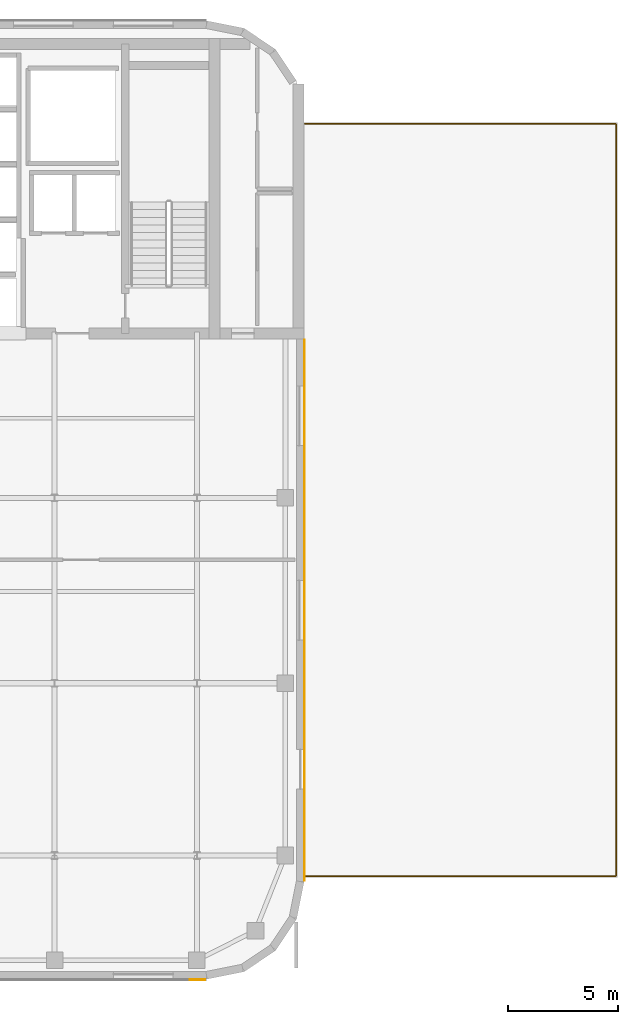
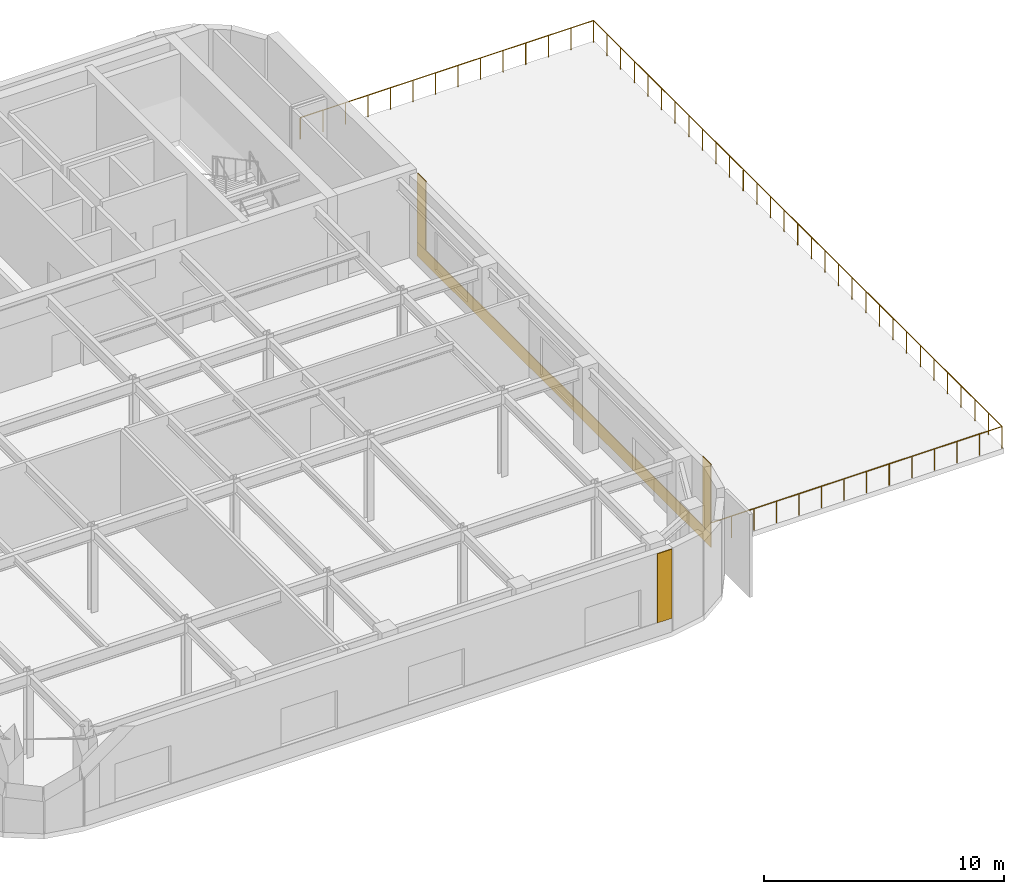
# One storey, part 9 of 10: 4 coverings, 1 railing.
"""IFC4 building model written with IfcOpenShell, lengths in metres."""

from ifc_helpers import new_model, si_unit, direction, frame, origin, origin_2d, place, context, subcontext, project, spatial, polyline, circle, outline, extrude, material, layer, layer_set, type_object, element, save


model = new_model("IFC4")

# Units and contexts
model_context = context("Model", 3, precision=1e-05, world=origin(), true_north=direction((0.0, 1.0)))
body_context = subcontext(model_context, "Body", "Model", "MODEL_VIEW")
ifc_project = project(units=[si_unit("LENGTHUNIT", "METRE"), si_unit("AREAUNIT", "SQUARE_METRE"), si_unit("VOLUMEUNIT", "CUBIC_METRE"), si_unit("PLANEANGLEUNIT", "RADIAN"), si_unit("MASSUNIT", "GRAM", prefix="KILO")], contexts=[model_context])

# Site, building, storey
site_placement = place(None, origin())
site = spatial("IfcSite", under=ifc_project, at=site_placement, CompositionType="ELEMENT")
building_placement = place(site_placement, origin())
building = spatial("IfcBuilding", under=site, at=building_placement, Name="Tolvann Quenvar Hotel", CompositionType="ELEMENT")
storey_placement = place(building_placement, frame((0.0, 0.0, 205.300048828125)))
storey = spatial("IfcBuildingStorey", under=building, at=storey_placement, Name="L54", CompositionType="ELEMENT", Elevation=205.300048828125)

# Coverings
ifc_material_1 = material(Name="Kiln-fired red architectural face brick cladding", Category="masonry")
ifc_layer_1 = layer(ifc_material_1, 0.0400390625)
ifc_layer_set_1 = layer_set([ifc_layer_1], Name="Kiln-fired red architectural face brick cladding")
covering_type_1 = type_object("IfcCoveringType", Name="COV_CLAD_BRICK_40", PredefinedType="CLADDING", material=ifc_layer_set_1)
covering_1_placement = place(storey_placement, frame((0.0, 0.0, 0.699951171875)))
element("IfcCovering", 1, at=covering_1_placement, inside=storey, type_object=covering_type_1, Name="Brick Pier Cladding (L54-E04-P2)", PredefinedType="CLADDING", context=body_context, shape_type="SweptSolid", body=[
    extrude(outline(polyline([(34.6328125, 2.60009765625), (35.332763671875, 2.60009765625), (35.332763671875, 2.56005859375), (34.6328125, 2.56005859375), (34.6328125, 2.60009765625)])), origin(), (0.0, 0.0, 1.0), 3.52001953125),
])
covering_2_placement = place(storey_placement, frame((0.0, 0.0, 0.699951171875)))
element("IfcCovering", 2, at=covering_2_placement, inside=storey, type_object=covering_type_1, Name="Brick Pier Cladding (L54-E09-P1)", PredefinedType="CLADDING", context=body_context, shape_type="SweptSolid", body=[
    extrude(outline(polyline([(39.800048828125, 7.067138671875), (39.800048828125, 7.76708984375), (39.840087890625, 7.76708984375), (39.840087890625, 7.067138671875), (39.800048828125, 7.067138671875)])), origin(), (0.0, 0.0, 1.0), 3.52001953125),
])
covering_3_placement = place(storey_placement, frame((0.0, 0.0, 0.699951171875)))
element("IfcCovering", 3, at=covering_3_placement, inside=storey, type_object=covering_type_1, Name="Brick Pier Cladding (L54-E09-P2)", PredefinedType="CLADDING", context=body_context, shape_type="SweptSolid", body=[
    extrude(outline(polyline([(39.800048828125, 30.845947265625), (39.800048828125, 31.5458984375), (39.840087890625, 31.5458984375), (39.840087890625, 30.845947265625), (39.800048828125, 30.845947265625)])), origin(), (0.0, 0.0, 1.0), 3.52001953125),
])
ifc_material_2 = material(Name="Moulded buff architectural terracotta spandrel cladding", Category="masonry")
ifc_layer_2 = layer(ifc_material_2, 0.0400390625)
ifc_layer_set_2 = layer_set([ifc_layer_2], Name="Moulded buff architectural terracotta spandrel cladding")
covering_type_2 = type_object("IfcCoveringType", Name="COV_CLAD_TERRA_40", PredefinedType="CLADDING", material=ifc_layer_set_2)
covering_4_placement = place(storey_placement, origin())
element("IfcCovering", 4, at=covering_4_placement, inside=storey, type_object=covering_type_2, Name="Terracotta Spandrel Cladding (L54-E09)", PredefinedType="CLADDING", context=body_context, shape_type="SweptSolid", body=[
    extrude(outline(polyline([(39.800048828125, 7.05712890625), (39.800048828125, 31.555908203125), (39.840087890625, 31.555908203125), (39.840087890625, 7.05712890625), (39.800048828125, 7.05712890625)])), origin(), (0.0, 0.0, 1.0), 0.699951171875),
])

# Railing
ifc_material_3 = material(Name="Brushed 316 marine-grade stainless steel balustrade and laminated safety glass", Category="steel")
railing_type = type_object("IfcRailingType", Name="RAIL_BAL_1100", PredefinedType="BALUSTRADE", material=ifc_material_3)
railing_placement = place(storey_placement, frame((39.820068359375, 7.260009765625, 0.0)))
element("IfcRailing", 5, at=railing_placement, inside=storey, type_object=railing_type, Name="Safety Balustrade BAL-TER-L54-SKY", PredefinedType="BALUSTRADE", context=body_context, shape_type="SweptSolid", body=[
    extrude(circle(Radius=0.02490234375, at=origin_2d()), frame((0.0, 0.0, 1.09521484375), z_axis=(1.0, 0.0, 0.0), x_axis=(0.0, 1.0, 0.0)), (0.0, 0.0, 1.0), 14.119873046875),
    extrude(circle(Radius=0.02490234375, at=origin_2d()), frame((14.119873046875, 0.0, 1.09521484375), z_axis=(0.0, 1.0, 0.0), x_axis=(-1.0, 0.0, 0.0)), (0.0, 0.0, 1.0), 34.080078125),
    extrude(circle(Radius=0.02490234375, at=origin_2d()), frame((14.119873046875, 34.080078125, 1.09521484375), z_axis=(-1.0, 0.0, 0.0), x_axis=(0.0, -1.0, 0.0)), (0.0, 0.0, 1.0), 14.119873046875),
    extrude(circle(Radius=0.02197265625, at=origin_2d()), origin(), (0.0, 0.0, 1.0), 1.070068359375),
    extrude(circle(Radius=0.02197265625, at=origin_2d()), frame((1.086181640625, 0.0, 0.0)), (0.0, 0.0, 1.0), 1.070068359375),
    extrude(circle(Radius=0.02197265625, at=origin_2d()), frame((2.17236328125, 0.0, 0.0)), (0.0, 0.0, 1.0), 1.070068359375),
    extrude(circle(Radius=0.02197265625, at=origin_2d()), frame((3.258544921875, 0.0, 0.0)), (0.0, 0.0, 1.0), 1.070068359375),
    extrude(circle(Radius=0.02197265625, at=origin_2d()), frame((4.344482421875, 0.0, 0.0)), (0.0, 0.0, 1.0), 1.070068359375),
    extrude(circle(Radius=0.02197265625, at=origin_2d()), frame((5.4306640625, 0.0, 0.0)), (0.0, 0.0, 1.0), 1.070068359375),
    extrude(circle(Radius=0.02197265625, at=origin_2d()), frame((6.516845703125, 0.0, 0.0)), (0.0, 0.0, 1.0), 1.070068359375),
    extrude(circle(Radius=0.02197265625, at=origin_2d()), frame((7.60302734375, 0.0, 0.0)), (0.0, 0.0, 1.0), 1.070068359375),
    extrude(circle(Radius=0.02197265625, at=origin_2d()), frame((8.689208984375, 0.0, 0.0)), (0.0, 0.0, 1.0), 1.070068359375),
    extrude(circle(Radius=0.02197265625, at=origin_2d()), frame((9.775390625, 0.0, 0.0)), (0.0, 0.0, 1.0), 1.070068359375),
    extrude(circle(Radius=0.02197265625, at=origin_2d()), frame((10.861328125, 0.0, 0.0)), (0.0, 0.0, 1.0), 1.070068359375),
    extrude(circle(Radius=0.02197265625, at=origin_2d()), frame((11.947509765625, 0.0, 0.0)), (0.0, 0.0, 1.0), 1.070068359375),
    extrude(circle(Radius=0.02197265625, at=origin_2d()), frame((13.03369140625, 0.0, 0.0)), (0.0, 0.0, 1.0), 1.070068359375),
    extrude(circle(Radius=0.02197265625, at=origin_2d()), frame((14.119873046875, 0.0, 0.0)), (0.0, 0.0, 1.0), 1.070068359375),
    extrude(circle(Radius=0.02197265625, at=origin_2d()), frame((14.119873046875, 1.135986328125, 0.0)), (0.0, 0.0, 1.0), 1.070068359375),
    extrude(circle(Radius=0.02197265625, at=origin_2d()), frame((14.119873046875, 2.27197265625, 0.0)), (0.0, 0.0, 1.0), 1.070068359375),
    extrude(circle(Radius=0.02197265625, at=origin_2d()), frame((14.119873046875, 3.407958984375, 0.0)), (0.0, 0.0, 1.0), 1.070068359375),
    extrude(circle(Radius=0.02197265625, at=origin_2d()), frame((14.119873046875, 4.5439453125, 0.0)), (0.0, 0.0, 1.0), 1.070068359375),
    extrude(circle(Radius=0.02197265625, at=origin_2d()), frame((14.119873046875, 5.679931640625, 0.0)), (0.0, 0.0, 1.0), 1.070068359375),
    extrude(circle(Radius=0.02197265625, at=origin_2d()), frame((14.119873046875, 6.81591796875, 0.0)), (0.0, 0.0, 1.0), 1.070068359375),
    extrude(circle(Radius=0.02197265625, at=origin_2d()), frame((14.119873046875, 7.951904296875, 0.0)), (0.0, 0.0, 1.0), 1.070068359375),
    extrude(circle(Radius=0.02197265625, at=origin_2d()), frame((14.119873046875, 9.088134765625, 0.0)), (0.0, 0.0, 1.0), 1.070068359375),
    extrude(circle(Radius=0.02197265625, at=origin_2d()), frame((14.119873046875, 10.22412109375, 0.0)), (0.0, 0.0, 1.0), 1.070068359375),
    extrude(circle(Radius=0.02197265625, at=origin_2d()), frame((14.119873046875, 11.360107421875, 0.0)), (0.0, 0.0, 1.0), 1.070068359375),
    extrude(circle(Radius=0.02197265625, at=origin_2d()), frame((14.119873046875, 12.49609375, 0.0)), (0.0, 0.0, 1.0), 1.070068359375),
    extrude(circle(Radius=0.02197265625, at=origin_2d()), frame((14.119873046875, 13.632080078125, 0.0)), (0.0, 0.0, 1.0), 1.070068359375),
    extrude(circle(Radius=0.02197265625, at=origin_2d()), frame((14.119873046875, 14.76806640625, 0.0)), (0.0, 0.0, 1.0), 1.070068359375),
    extrude(circle(Radius=0.02197265625, at=origin_2d()), frame((14.119873046875, 15.904052734375, 0.0)), (0.0, 0.0, 1.0), 1.070068359375),
    extrude(circle(Radius=0.02197265625, at=origin_2d()), frame((14.119873046875, 17.0400390625, 0.0)), (0.0, 0.0, 1.0), 1.070068359375),
    extrude(circle(Radius=0.02197265625, at=origin_2d()), frame((14.119873046875, 18.176025390625, 0.0)), (0.0, 0.0, 1.0), 1.070068359375),
    extrude(circle(Radius=0.02197265625, at=origin_2d()), frame((14.119873046875, 19.31201171875, 0.0)), (0.0, 0.0, 1.0), 1.070068359375),
    extrude(circle(Radius=0.02197265625, at=origin_2d()), frame((14.119873046875, 20.447998046875, 0.0)), (0.0, 0.0, 1.0), 1.070068359375),
    extrude(circle(Radius=0.02197265625, at=origin_2d()), frame((14.119873046875, 21.583984375, 0.0)), (0.0, 0.0, 1.0), 1.070068359375),
    extrude(circle(Radius=0.02197265625, at=origin_2d()), frame((14.119873046875, 22.719970703125, 0.0)), (0.0, 0.0, 1.0), 1.070068359375),
    extrude(circle(Radius=0.02197265625, at=origin_2d()), frame((14.119873046875, 23.85595703125, 0.0)), (0.0, 0.0, 1.0), 1.070068359375),
    extrude(circle(Radius=0.02197265625, at=origin_2d()), frame((14.119873046875, 24.991943359375, 0.0)), (0.0, 0.0, 1.0), 1.070068359375),
    extrude(circle(Radius=0.02197265625, at=origin_2d()), frame((14.119873046875, 26.128173828125, 0.0)), (0.0, 0.0, 1.0), 1.070068359375),
    extrude(circle(Radius=0.02197265625, at=origin_2d()), frame((14.119873046875, 27.26416015625, 0.0)), (0.0, 0.0, 1.0), 1.070068359375),
    extrude(circle(Radius=0.02197265625, at=origin_2d()), frame((14.119873046875, 28.400146484375, 0.0)), (0.0, 0.0, 1.0), 1.070068359375),
    extrude(circle(Radius=0.02197265625, at=origin_2d()), frame((14.119873046875, 29.5361328125, 0.0)), (0.0, 0.0, 1.0), 1.070068359375),
    extrude(circle(Radius=0.02197265625, at=origin_2d()), frame((14.119873046875, 30.672119140625, 0.0)), (0.0, 0.0, 1.0), 1.070068359375),
    extrude(circle(Radius=0.02197265625, at=origin_2d()), frame((14.119873046875, 31.80810546875, 0.0)), (0.0, 0.0, 1.0), 1.070068359375),
    extrude(circle(Radius=0.02197265625, at=origin_2d()), frame((14.119873046875, 32.944091796875, 0.0)), (0.0, 0.0, 1.0), 1.070068359375),
    extrude(circle(Radius=0.02197265625, at=origin_2d()), frame((14.119873046875, 34.080078125, 0.0)), (0.0, 0.0, 1.0), 1.070068359375),
    extrude(circle(Radius=0.02197265625, at=origin_2d()), frame((13.03369140625, 34.080078125, 0.0)), (0.0, 0.0, 1.0), 1.070068359375),
    extrude(circle(Radius=0.02197265625, at=origin_2d()), frame((11.947509765625, 34.080078125, 0.0)), (0.0, 0.0, 1.0), 1.070068359375),
    extrude(circle(Radius=0.02197265625, at=origin_2d()), frame((10.861328125, 34.080078125, 0.0)), (0.0, 0.0, 1.0), 1.070068359375),
    extrude(circle(Radius=0.02197265625, at=origin_2d()), frame((9.775390625, 34.080078125, 0.0)), (0.0, 0.0, 1.0), 1.070068359375),
    extrude(circle(Radius=0.02197265625, at=origin_2d()), frame((8.689208984375, 34.080078125, 0.0)), (0.0, 0.0, 1.0), 1.070068359375),
    extrude(circle(Radius=0.02197265625, at=origin_2d()), frame((7.60302734375, 34.080078125, 0.0)), (0.0, 0.0, 1.0), 1.070068359375),
    extrude(circle(Radius=0.02197265625, at=origin_2d()), frame((6.516845703125, 34.080078125, 0.0)), (0.0, 0.0, 1.0), 1.070068359375),
    extrude(circle(Radius=0.02197265625, at=origin_2d()), frame((5.4306640625, 34.080078125, 0.0)), (0.0, 0.0, 1.0), 1.070068359375),
    extrude(circle(Radius=0.02197265625, at=origin_2d()), frame((4.344482421875, 34.080078125, 0.0)), (0.0, 0.0, 1.0), 1.070068359375),
    extrude(circle(Radius=0.02197265625, at=origin_2d()), frame((3.258544921875, 34.080078125, 0.0)), (0.0, 0.0, 1.0), 1.070068359375),
    extrude(circle(Radius=0.02197265625, at=origin_2d()), frame((2.17236328125, 34.080078125, 0.0)), (0.0, 0.0, 1.0), 1.070068359375),
    extrude(circle(Radius=0.02197265625, at=origin_2d()), frame((1.086181640625, 34.080078125, 0.0)), (0.0, 0.0, 1.0), 1.070068359375),
    extrude(circle(Radius=0.02197265625, at=origin_2d()), frame((0.0, 34.080078125, 0.0)), (0.0, 0.0, 1.0), 1.070068359375),
])

save(model, "model.ifc")
